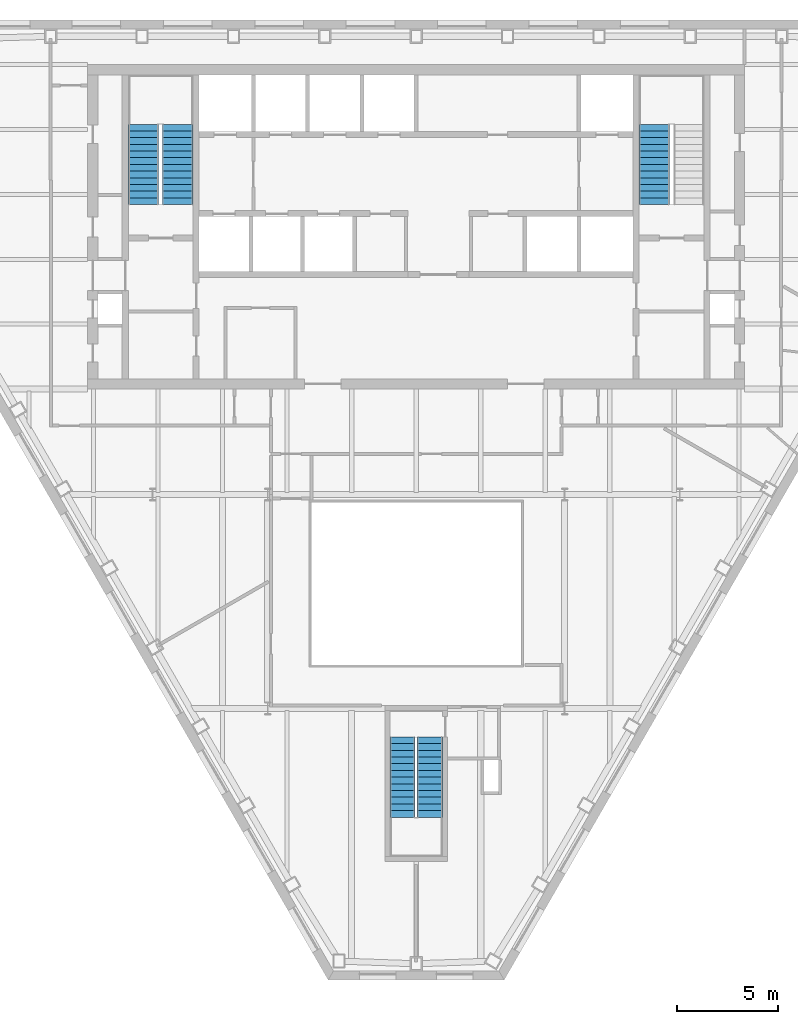
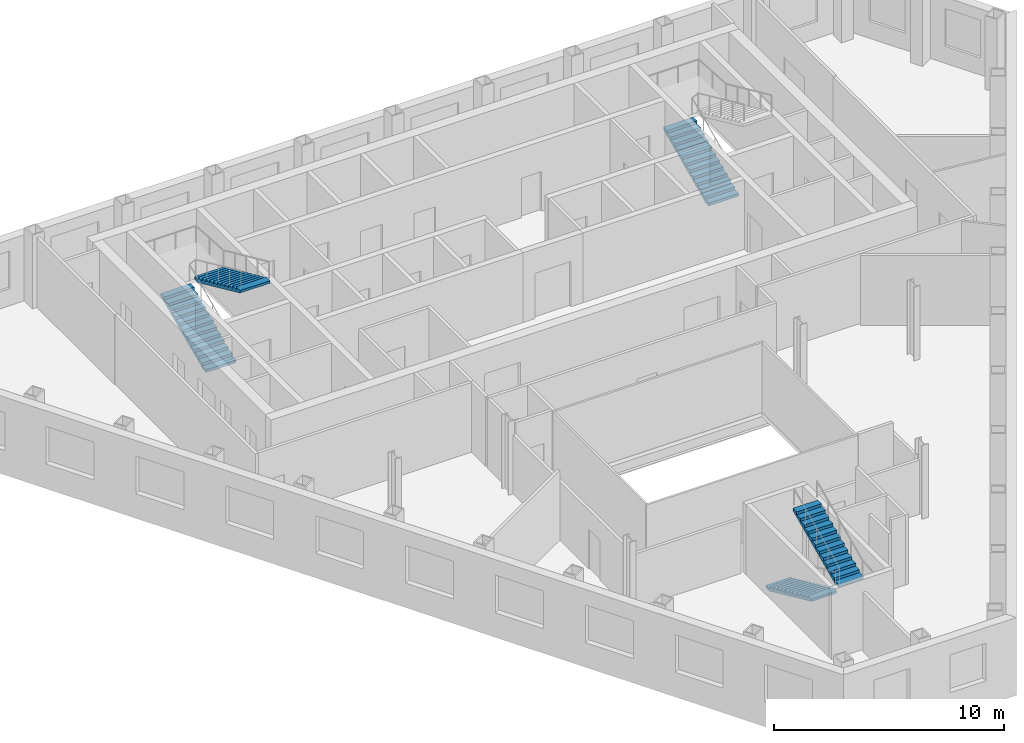
# One storey, part 8 of 10: 5 stair flights, 3 elements without a shape of their own.
"""IFC4 building model written with IfcOpenShell, lengths in metres."""

import ifcopenshell
import ifcopenshell.guid

model = None  # the IFC model being written
_history = None  # IfcOwnerHistory: only IFC2X3 demands one
_inside = {}  # id of a spatial element -> (the spatial element, [elements in it])
_under = {}  # id of a project, library or spatial element -> (it, [spatial elements below it])
_declared = {}  # id of a project -> (the project, [libraries it declares])
_typed = {}  # id of a type object -> (the type object, [elements of that type])
_made_of = {}  # id of a material, layer set ... -> (it, [elements and type objects made of it])


def new_model(schema):
    """Start an empty IFC model of exactly this schema.

    Asked for "IFC4X3", IfcOpenShell would pick the latest addendum, in which some entities
    have other attributes; the version numbers below select the first issue.
    IFC2X3 requires an IfcOwnerHistory on every rooted entity: one is made here for all.
    """
    global model, _history
    if schema == "IFC4X3":
        model = ifcopenshell.file(schema_version=(4, 3, 0, 0))
    else:
        model = ifcopenshell.file(schema=schema)
    _inside.clear()
    _under.clear()
    _declared.clear()
    _typed.clear()
    _made_of.clear()
    _history = None
    if model.schema == "IFC2X3":
        org = make("IfcOrganization", Name="unknown")
        user = make(
            "IfcPersonAndOrganization",
            ThePerson=make("IfcPerson", FamilyName="unknown"),
            TheOrganization=org,
        )
        app = make(
            "IfcApplication",
            ApplicationDeveloper=org,
            Version="unknown",
            ApplicationFullName="unknown",
            ApplicationIdentifier="unknown",
        )
        _history = make(
            "IfcOwnerHistory",
            OwningUser=user,
            OwningApplication=app,
            ChangeAction="ADDED",
            CreationDate=0,
        )
    return model


def make(cls, **values):
    """One entity of the class cls with the attributes given. An attribute that is None is left unset."""
    return model.create_entity(
        cls, **{name: value for name, value in values.items() if value is not None}
    )


def rooted(cls, **values):
    """An entity with a GlobalId (a new one), such as an element, a storey or a relation."""
    return make(cls, GlobalId=ifcopenshell.guid.new(), OwnerHistory=_history, **values)


def si_unit(unit_type, name, prefix=None):
    """IfcSIUnit, for example si_unit("LENGTHUNIT", "METRE", prefix="MILLI")."""
    return make("IfcSIUnit", UnitType=unit_type, Prefix=prefix, Name=name)


def assignment(units):
    """IfcUnitAssignment: the units of a project."""
    return None if units is None else make("IfcUnitAssignment", Units=units)


def point(xyz):
    """IfcCartesianPoint."""
    return None if xyz is None else make("IfcCartesianPoint", Coordinates=xyz)


def direction(xyz):
    """IfcDirection."""
    return None if xyz is None else make("IfcDirection", DirectionRatios=xyz)


def frame(location, z_axis=None, x_axis=None):
    """IfcAxis2Placement3D, a coordinate frame: its origin and axes. An axis left out is left unset."""
    return make(
        "IfcAxis2Placement3D",
        Location=point(location),
        Axis=direction(z_axis),
        RefDirection=direction(x_axis),
    )


def origin():
    """The frame at (0, 0, 0) with its axes left unset."""
    return frame((0.0, 0.0, 0.0))


def place(relative_to, where):
    """IfcLocalPlacement: puts the frame where relative to a parent placement (None: the world)."""
    return make(
        "IfcLocalPlacement", PlacementRelTo=relative_to, RelativePlacement=where
    )


def context(
    kind, dimensions, precision=None, world=None, true_north=None, identifier=None
):
    """IfcGeometricRepresentationContext, for example the 3D "Model" context."""
    return make(
        "IfcGeometricRepresentationContext",
        ContextIdentifier=identifier,
        ContextType=kind,
        CoordinateSpaceDimension=dimensions,
        Precision=precision,
        WorldCoordinateSystem=world,
        TrueNorth=true_north,
    )


def subcontext(parent, identifier, kind, view, scale=None):
    """IfcGeometricRepresentationSubContext, for example "Body" below "Model"."""
    return make(
        "IfcGeometricRepresentationSubContext",
        ContextIdentifier=identifier,
        ContextType=kind,
        ParentContext=parent,
        TargetScale=scale,
        TargetView=view,
    )


def project(units=None, contexts=None):
    """IfcProject with its units and contexts."""
    return rooted(
        "IfcProject",
        Name="project",
        RepresentationContexts=contexts,
        UnitsInContext=assignment(units),
    )


def spatial(cls, under=None, at=None, **own):
    """A site, building, storey or space (cls), placed at a placement, below another one or the project."""
    s = rooted(cls, ObjectPlacement=at, **own)
    if under is not None:
        _under.setdefault(under.id(), (under, []))[1].append(s)
    return s


def point_list(points):
    """IfcCartesianPointList2D or 3D."""
    cls = (
        "IfcCartesianPointList2D" if len(points[0]) == 2 else "IfcCartesianPointList3D"
    )
    return make(cls, CoordList=points)


def polygons(points, faces, closed=None, point_numbers=None):
    """IfcPolygonalFaceSet: a face is its outer loop, then its inner loops; points numbered from 1."""
    made = []
    for loops in faces:
        if len(loops) == 1:
            made.append(make("IfcIndexedPolygonalFace", CoordIndex=loops[0]))
        else:
            made.append(
                make(
                    "IfcIndexedPolygonalFaceWithVoids",
                    CoordIndex=loops[0],
                    InnerCoordIndices=loops[1:],
                )
            )
    return make(
        "IfcPolygonalFaceSet",
        Coordinates=point_list(points),
        Closed=closed,
        Faces=made,
        PnIndex=point_numbers,
    )


def shape(context_of_items, identifier, shape_type, items):
    """IfcShapeRepresentation: the items that make up one representation, for example the "Body"."""
    return make(
        "IfcShapeRepresentation",
        ContextOfItems=context_of_items,
        RepresentationIdentifier=identifier,
        RepresentationType=shape_type,
        Items=items,
    )


def material(Name=None, Category=None):
    """IfcMaterial."""
    return make("IfcMaterial", Name=Name, Category=Category)


def made_of(thing, what):
    """Note that an element or type object is made of a material, layer set ...; save() writes the relation."""
    if what is not None:
        _made_of.setdefault(what.id(), (what, []))[1].append(thing)
    return thing


def type_object(cls, material=None, **own):
    """A type object (cls), such as IfcWallType, which elements share."""
    return made_of(rooted(cls, **own), material)


def element(
    cls,
    number,
    at=None,
    inside=None,
    cuts=None,
    type_object=None,
    material=None,
    context=None,
    identifier="Body",
    shape_type=None,
    held_by="IfcProductDefinitionShape",
    body=None,
    shapes=None,
    **own,
):
    """One element of the class cls, such as IfcWall. Its Tag is "e" and its number.

    at: its placement. inside: the storey or other place that contains it. cuts: it is an
    opening in that element (IfcRelVoidsElement). A single representation is given by context,
    identifier, shape_type and body (its items); several are given by shapes. held_by: the class
    of the entity that holds the representations. save() writes the other relations.
    """
    e = rooted(cls, Tag="e%d" % number, ObjectPlacement=at, **own)
    if body is not None:
        shapes = [shape(context, identifier, shape_type, body)]
    if shapes is not None:
        e.Representation = make(held_by, Representations=shapes)
    if inside is not None:
        _inside.setdefault(inside.id(), (inside, []))[1].append(e)
    if cuts is not None:
        rooted(
            "IfcRelVoidsElement", RelatingBuildingElement=cuts, RelatedOpeningElement=e
        )
    if type_object is not None:
        _typed.setdefault(type_object.id(), (type_object, []))[1].append(e)
    return made_of(e, material)


def aggregate(whole, parts):
    """IfcRelAggregates: a whole, such as a stair, and the parts it consists of."""
    return rooted("IfcRelAggregates", RelatingObject=whole, RelatedObjects=parts)


def save(model, path):
    """Write the relations noted so far, then the file.

    IfcRelAggregates (storeys below a building ...), IfcRelContainedInSpatialStructure (elements
    in a storey), IfcRelDefinesByType, IfcRelAssociatesMaterial and IfcRelDeclares: one each for
    every whole, place, type object, material and project.
    """
    for whole, parts in _under.values():
        aggregate(whole, parts)
    for where, things in _inside.values():
        rooted(
            "IfcRelContainedInSpatialStructure",
            RelatedElements=things,
            RelatingStructure=where,
        )
    for kind, things in _typed.values():
        rooted("IfcRelDefinesByType", RelatedObjects=things, RelatingType=kind)
    for what, things in _made_of.values():
        rooted("IfcRelAssociatesMaterial", RelatedObjects=things, RelatingMaterial=what)
    for by, libraries in _declared.values():
        rooted("IfcRelDeclares", RelatingContext=by, RelatedDefinitions=libraries)
    model.write(path)


model = new_model("IFC4")

# Units and contexts
model_context = context("Model", 3, precision=1e-05, world=origin(), true_north=direction((0.0, 1.0)))
body_context = subcontext(model_context, "Body", "Model", "MODEL_VIEW")
ifc_project = project(units=[si_unit("LENGTHUNIT", "METRE"), si_unit("AREAUNIT", "SQUARE_METRE"), si_unit("VOLUMEUNIT", "CUBIC_METRE"), si_unit("PLANEANGLEUNIT", "RADIAN"), si_unit("MASSUNIT", "GRAM", prefix="KILO")], contexts=[model_context])

# Site, building, storey
site_placement = place(None, origin())
site = spatial("IfcSite", under=ifc_project, at=site_placement, CompositionType="ELEMENT")
building_placement = place(site_placement, origin())
building = spatial("IfcBuilding", under=site, at=building_placement, Name="Njiva Tower", CompositionType="ELEMENT")
storey_placement = place(building_placement, frame((0.0, 0.0, 159.3)))
storey = spatial("IfcBuildingStorey", under=building, at=storey_placement, Name="L34", CompositionType="ELEMENT", Elevation=159.3)

# Stair, stair flights
ifc_material = material(Name="Concrete C40/50", Category="concrete")
stair_type_1 = type_object("IfcStairType", Name="ST1 Exit stair 1250", PredefinedType="HALF_TURN_STAIR", material=ifc_material)
stair_1_placement = place(storey_placement, origin())
stair_1 = element("IfcStair", 1, at=stair_1_placement, inside=storey, type_object=stair_type_1, Name="Stair C", PredefinedType="HALF_TURN_STAIR")
stair_flight_type_1 = type_object("IfcStairFlightType", Name="FL1 Stair flight 1250", PredefinedType="STRAIGHT", material=ifc_material)
stair_flight_1_placement = place(storey_placement, frame((-0.675, -15.16, 0.0), z_axis=(0.0, 0.0, 1.0), x_axis=(0.0, -1.0, 0.0)))
stair_flight_1 = element("IfcStairFlight", 2, at=stair_flight_1_placement, type_object=stair_flight_type_1, Name="ST-C flight 1", NumberOfRisers=13, NumberOfTreads=12, PredefinedType="STRAIGHT", RiserHeight=0.15, TreadLength=0.33, context=body_context, shape_type="Tessellation", body=[
    polygons([(0.0, 0.625, 0.0), (0.0, 0.3125, 0.0), (0.0, 0.0, 0.0), (0.0, -0.3125, 0.0), (0.0, -0.625, 0.0), (0.0, 0.625, 0.15), (0.0, 0.3125, 0.15), (0.0, 0.0, 0.15), (0.0, -0.3125, 0.15), (0.0, -0.625, 0.15), (0.33, 0.625, 0.15), (0.33, 0.3125, 0.15), (0.33, 0.0, 0.15), (0.33, -0.3125, 0.15), (0.33, -0.625, 0.15), (0.33, 0.625, 0.3), (0.33, 0.3125, 0.3), (0.33, 0.0, 0.3), (0.33, -0.3125, 0.3), (0.33, -0.625, 0.3), (0.66, 0.625, 0.3), (0.66, 0.3125, 0.3), (0.66, 0.0, 0.3), (0.66, -0.3125, 0.3), (0.66, -0.625, 0.3), (0.66, 0.625, 0.45), (0.66, 0.3125, 0.45), (0.66, 0.0, 0.45), (0.66, -0.3125, 0.45), (0.66, -0.625, 0.45), (0.99, 0.625, 0.45), (0.99, 0.3125, 0.45), (0.99, 0.0, 0.45), (0.99, -0.3125, 0.45), (0.99, -0.625, 0.45), (0.99, 0.625, 0.6), (0.99, 0.3125, 0.6), (0.99, 0.0, 0.6), (0.99, -0.3125, 0.6), (0.99, -0.625, 0.6), (1.32, 0.625, 0.6), (1.32, 0.3125, 0.6), (1.32, 0.0, 0.6), (1.32, -0.3125, 0.6), (1.32, -0.625, 0.6), (1.32, 0.625, 0.75), (1.32, 0.3125, 0.75), (1.32, 0.0, 0.75), (1.32, -0.3125, 0.75), (1.32, -0.625, 0.75), (1.65, 0.625, 0.75), (1.65, 0.3125, 0.75), (1.65, 0.0, 0.75), (1.65, -0.3125, 0.75), (1.65, -0.625, 0.75), (1.65, 0.625, 0.9), (1.65, 0.3125, 0.9), (1.65, 0.0, 0.9), (1.65, -0.3125, 0.9), (1.65, -0.625, 0.9), (1.98, 0.625, 0.9), (1.98, 0.3125, 0.9), (1.98, 0.0, 0.9), (1.98, -0.3125, 0.9), (1.98, -0.625, 0.9), (1.98, 0.625, 1.05), (1.98, 0.3125, 1.05), (1.98, 0.0, 1.05), (1.98, -0.3125, 1.05), (1.98, -0.625, 1.05), (2.31, 0.625, 1.05), (2.31, 0.3125, 1.05), (2.31, 0.0, 1.05), (2.31, -0.3125, 1.05), (2.31, -0.625, 1.05), (2.31, 0.625, 1.2), (2.31, 0.3125, 1.2), (2.31, 0.0, 1.2), (2.31, -0.3125, 1.2), (2.31, -0.625, 1.2), (2.64, 0.625, 1.2), (2.64, 0.3125, 1.2), (2.64, 0.0, 1.2), (2.64, -0.3125, 1.2), (2.64, -0.625, 1.2), (2.64, 0.625, 1.35), (2.64, 0.3125, 1.35), (2.64, 0.0, 1.35), (2.64, -0.3125, 1.35), (2.64, -0.625, 1.35), (2.97, 0.625, 1.35), (2.97, 0.3125, 1.35), (2.97, 0.0, 1.35), (2.97, -0.3125, 1.35), (2.97, -0.625, 1.35), (2.97, 0.625, 1.5), (2.97, 0.3125, 1.5), (2.97, 0.0, 1.5), (2.97, -0.3125, 1.5), (2.97, -0.625, 1.5), (3.3, 0.625, 1.5), (3.3, 0.3125, 1.5), (3.3, 0.0, 1.5), (3.3, -0.3125, 1.5), (3.3, -0.625, 1.5), (3.3, 0.625, 1.65), (3.3, 0.3125, 1.65), (3.3, 0.0, 1.65), (3.3, -0.3125, 1.65), (3.3, -0.625, 1.65), (3.63, 0.625, 1.65), (3.63, 0.3125, 1.65), (3.63, 0.0, 1.65), (3.63, -0.3125, 1.65), (3.63, -0.625, 1.65), (3.63, 0.625, 1.8), (3.63, 0.3125, 1.8), (3.63, 0.0, 1.8), (3.63, -0.3125, 1.8), (3.63, -0.625, 1.8), (3.96, 0.625, 1.8), (3.96, 0.3125, 1.8), (3.96, 0.0, 1.8), (3.96, -0.3125, 1.8), (3.96, -0.625, 1.8), (3.96, 0.625, 1.6682), (3.96, 0.3125, 1.6682), (3.96, 0.0, 1.6682), (3.96, -0.3125, 1.6682), (3.96, -0.625, 1.6682), (0.29, 0.625, 0.0), (0.29, 0.3125, 0.0), (0.29, 0.0, 0.0), (0.29, -0.3125, 0.0), (0.29, -0.625, 0.0)], [[[1, 6, 11, 16, 21, 26, 31, 36, 41, 46, 51, 56, 61, 66, 71, 76, 81, 86, 91, 96, 101, 106, 111, 116, 121, 126, 131]], [[135, 130, 125, 120, 115, 110, 105, 100, 95, 90, 85, 80, 75, 70, 65, 60, 55, 50, 45, 40, 35, 30, 25, 20, 15, 10, 5]], [[6, 1, 2, 7]], [[7, 2, 3, 8]], [[8, 3, 4, 9]], [[9, 4, 5, 10]], [[11, 6, 7, 12]], [[12, 7, 8, 13]], [[13, 8, 9, 14]], [[14, 9, 10, 15]], [[16, 11, 12, 17]], [[17, 12, 13, 18]], [[18, 13, 14, 19]], [[19, 14, 15, 20]], [[21, 16, 17, 22]], [[22, 17, 18, 23]], [[23, 18, 19, 24]], [[24, 19, 20, 25]], [[26, 21, 22, 27]], [[27, 22, 23, 28]], [[28, 23, 24, 29]], [[29, 24, 25, 30]], [[31, 26, 27, 32]], [[32, 27, 28, 33]], [[33, 28, 29, 34]], [[34, 29, 30, 35]], [[36, 31, 32, 37]], [[37, 32, 33, 38]], [[38, 33, 34, 39]], [[39, 34, 35, 40]], [[41, 36, 37, 42]], [[42, 37, 38, 43]], [[43, 38, 39, 44]], [[44, 39, 40, 45]], [[46, 41, 42, 47]], [[47, 42, 43, 48]], [[48, 43, 44, 49]], [[49, 44, 45, 50]], [[51, 46, 47, 52]], [[52, 47, 48, 53]], [[53, 48, 49, 54]], [[54, 49, 50, 55]], [[56, 51, 52, 57]], [[57, 52, 53, 58]], [[58, 53, 54, 59]], [[59, 54, 55, 60]], [[61, 56, 57, 62]], [[62, 57, 58, 63]], [[63, 58, 59, 64]], [[64, 59, 60, 65]], [[66, 61, 62, 67]], [[67, 62, 63, 68]], [[68, 63, 64, 69]], [[69, 64, 65, 70]], [[71, 66, 67, 72]], [[72, 67, 68, 73]], [[73, 68, 69, 74]], [[74, 69, 70, 75]], [[76, 71, 72, 77]], [[77, 72, 73, 78]], [[78, 73, 74, 79]], [[79, 74, 75, 80]], [[81, 76, 77, 82]], [[82, 77, 78, 83]], [[83, 78, 79, 84]], [[84, 79, 80, 85]], [[86, 81, 82, 87]], [[87, 82, 83, 88]], [[88, 83, 84, 89]], [[89, 84, 85, 90]], [[91, 86, 87, 92]], [[92, 87, 88, 93]], [[93, 88, 89, 94]], [[94, 89, 90, 95]], [[96, 91, 92, 97]], [[97, 92, 93, 98]], [[98, 93, 94, 99]], [[99, 94, 95, 100]], [[101, 96, 97, 102]], [[102, 97, 98, 103]], [[103, 98, 99, 104]], [[104, 99, 100, 105]], [[106, 101, 102, 107]], [[107, 102, 103, 108]], [[108, 103, 104, 109]], [[109, 104, 105, 110]], [[111, 106, 107, 112]], [[112, 107, 108, 113]], [[113, 108, 109, 114]], [[114, 109, 110, 115]], [[116, 111, 112, 117]], [[117, 112, 113, 118]], [[118, 113, 114, 119]], [[119, 114, 115, 120]], [[121, 116, 117, 122]], [[122, 117, 118, 123]], [[123, 118, 119, 124]], [[124, 119, 120, 125]], [[126, 121, 122, 127]], [[127, 122, 123, 128]], [[128, 123, 124, 129]], [[129, 124, 125, 130]], [[131, 126, 127, 132]], [[132, 127, 128, 133]], [[133, 128, 129, 134]], [[134, 129, 130, 135]], [[1, 131, 132, 2]], [[2, 132, 133, 3]], [[3, 133, 134, 4]], [[4, 134, 135, 5]]], closed=True),
])
stair_flight_2_placement = place(storey_placement, frame((0.675, -19.12, 1.95), z_axis=(0.0, 0.0, 1.0), x_axis=(0.0, 1.0, 0.0)))
stair_flight_2 = element("IfcStairFlight", 3, at=stair_flight_2_placement, type_object=stair_flight_type_1, Name="ST-C flight 2", NumberOfRisers=13, NumberOfTreads=12, PredefinedType="STRAIGHT", RiserHeight=0.15, TreadLength=0.33, context=body_context, shape_type="Tessellation", body=[
    polygons([(0.0, 0.625, 0.0), (0.0, 0.3125, 0.0), (0.0, 0.0, 0.0), (0.0, -0.3125, 0.0), (0.0, -0.625, 0.0), (0.0, 0.625, 0.15), (0.0, 0.3125, 0.15), (0.0, 0.0, 0.15), (0.0, -0.3125, 0.15), (0.0, -0.625, 0.15), (0.33, 0.625, 0.15), (0.33, 0.3125, 0.15), (0.33, 0.0, 0.15), (0.33, -0.3125, 0.15), (0.33, -0.625, 0.15), (0.33, 0.625, 0.3), (0.33, 0.3125, 0.3), (0.33, 0.0, 0.3), (0.33, -0.3125, 0.3), (0.33, -0.625, 0.3), (0.66, 0.625, 0.3), (0.66, 0.3125, 0.3), (0.66, 0.0, 0.3), (0.66, -0.3125, 0.3), (0.66, -0.625, 0.3), (0.66, 0.625, 0.45), (0.66, 0.3125, 0.45), (0.66, 0.0, 0.45), (0.66, -0.3125, 0.45), (0.66, -0.625, 0.45), (0.99, 0.625, 0.45), (0.99, 0.3125, 0.45), (0.99, 0.0, 0.45), (0.99, -0.3125, 0.45), (0.99, -0.625, 0.45), (0.99, 0.625, 0.6), (0.99, 0.3125, 0.6), (0.99, 0.0, 0.6), (0.99, -0.3125, 0.6), (0.99, -0.625, 0.6), (1.32, 0.625, 0.6), (1.32, 0.3125, 0.6), (1.32, 0.0, 0.6), (1.32, -0.3125, 0.6), (1.32, -0.625, 0.6), (1.32, 0.625, 0.75), (1.32, 0.3125, 0.75), (1.32, 0.0, 0.75), (1.32, -0.3125, 0.75), (1.32, -0.625, 0.75), (1.65, 0.625, 0.75), (1.65, 0.3125, 0.75), (1.65, 0.0, 0.75), (1.65, -0.3125, 0.75), (1.65, -0.625, 0.75), (1.65, 0.625, 0.9), (1.65, 0.3125, 0.9), (1.65, 0.0, 0.9), (1.65, -0.3125, 0.9), (1.65, -0.625, 0.9), (1.98, 0.625, 0.9), (1.98, 0.3125, 0.9), (1.98, 0.0, 0.9), (1.98, -0.3125, 0.9), (1.98, -0.625, 0.9), (1.98, 0.625, 1.05), (1.98, 0.3125, 1.05), (1.98, 0.0, 1.05), (1.98, -0.3125, 1.05), (1.98, -0.625, 1.05), (2.31, 0.625, 1.05), (2.31, 0.3125, 1.05), (2.31, 0.0, 1.05), (2.31, -0.3125, 1.05), (2.31, -0.625, 1.05), (2.31, 0.625, 1.2), (2.31, 0.3125, 1.2), (2.31, 0.0, 1.2), (2.31, -0.3125, 1.2), (2.31, -0.625, 1.2), (2.64, 0.625, 1.2), (2.64, 0.3125, 1.2), (2.64, 0.0, 1.2), (2.64, -0.3125, 1.2), (2.64, -0.625, 1.2), (2.64, 0.625, 1.35), (2.64, 0.3125, 1.35), (2.64, 0.0, 1.35), (2.64, -0.3125, 1.35), (2.64, -0.625, 1.35), (2.97, 0.625, 1.35), (2.97, 0.3125, 1.35), (2.97, 0.0, 1.35), (2.97, -0.3125, 1.35), (2.97, -0.625, 1.35), (2.97, 0.625, 1.5), (2.97, 0.3125, 1.5), (2.97, 0.0, 1.5), (2.97, -0.3125, 1.5), (2.97, -0.625, 1.5), (3.3, 0.625, 1.5), (3.3, 0.3125, 1.5), (3.3, 0.0, 1.5), (3.3, -0.3125, 1.5), (3.3, -0.625, 1.5), (3.3, 0.625, 1.65), (3.3, 0.3125, 1.65), (3.3, 0.0, 1.65), (3.3, -0.3125, 1.65), (3.3, -0.625, 1.65), (3.63, 0.625, 1.65), (3.63, 0.3125, 1.65), (3.63, 0.0, 1.65), (3.63, -0.3125, 1.65), (3.63, -0.625, 1.65), (3.63, 0.625, 1.8), (3.63, 0.3125, 1.8), (3.63, 0.0, 1.8), (3.63, -0.3125, 1.8), (3.63, -0.625, 1.8), (3.96, 0.625, 1.8), (3.96, 0.3125, 1.8), (3.96, 0.0, 1.8), (3.96, -0.3125, 1.8), (3.96, -0.625, 1.8), (3.96, 0.625, 1.6682), (3.96, 0.3125, 1.6682), (3.96, 0.0, 1.6682), (3.96, -0.3125, 1.6682), (3.96, -0.625, 1.6682), (0.29, 0.625, 0.0), (0.29, 0.3125, 0.0), (0.29, 0.0, 0.0), (0.29, -0.3125, 0.0), (0.29, -0.625, 0.0)], [[[1, 6, 11, 16, 21, 26, 31, 36, 41, 46, 51, 56, 61, 66, 71, 76, 81, 86, 91, 96, 101, 106, 111, 116, 121, 126, 131]], [[135, 130, 125, 120, 115, 110, 105, 100, 95, 90, 85, 80, 75, 70, 65, 60, 55, 50, 45, 40, 35, 30, 25, 20, 15, 10, 5]], [[6, 1, 2, 7]], [[7, 2, 3, 8]], [[8, 3, 4, 9]], [[9, 4, 5, 10]], [[11, 6, 7, 12]], [[12, 7, 8, 13]], [[13, 8, 9, 14]], [[14, 9, 10, 15]], [[16, 11, 12, 17]], [[17, 12, 13, 18]], [[18, 13, 14, 19]], [[19, 14, 15, 20]], [[21, 16, 17, 22]], [[22, 17, 18, 23]], [[23, 18, 19, 24]], [[24, 19, 20, 25]], [[26, 21, 22, 27]], [[27, 22, 23, 28]], [[28, 23, 24, 29]], [[29, 24, 25, 30]], [[31, 26, 27, 32]], [[32, 27, 28, 33]], [[33, 28, 29, 34]], [[34, 29, 30, 35]], [[36, 31, 32, 37]], [[37, 32, 33, 38]], [[38, 33, 34, 39]], [[39, 34, 35, 40]], [[41, 36, 37, 42]], [[42, 37, 38, 43]], [[43, 38, 39, 44]], [[44, 39, 40, 45]], [[46, 41, 42, 47]], [[47, 42, 43, 48]], [[48, 43, 44, 49]], [[49, 44, 45, 50]], [[51, 46, 47, 52]], [[52, 47, 48, 53]], [[53, 48, 49, 54]], [[54, 49, 50, 55]], [[56, 51, 52, 57]], [[57, 52, 53, 58]], [[58, 53, 54, 59]], [[59, 54, 55, 60]], [[61, 56, 57, 62]], [[62, 57, 58, 63]], [[63, 58, 59, 64]], [[64, 59, 60, 65]], [[66, 61, 62, 67]], [[67, 62, 63, 68]], [[68, 63, 64, 69]], [[69, 64, 65, 70]], [[71, 66, 67, 72]], [[72, 67, 68, 73]], [[73, 68, 69, 74]], [[74, 69, 70, 75]], [[76, 71, 72, 77]], [[77, 72, 73, 78]], [[78, 73, 74, 79]], [[79, 74, 75, 80]], [[81, 76, 77, 82]], [[82, 77, 78, 83]], [[83, 78, 79, 84]], [[84, 79, 80, 85]], [[86, 81, 82, 87]], [[87, 82, 83, 88]], [[88, 83, 84, 89]], [[89, 84, 85, 90]], [[91, 86, 87, 92]], [[92, 87, 88, 93]], [[93, 88, 89, 94]], [[94, 89, 90, 95]], [[96, 91, 92, 97]], [[97, 92, 93, 98]], [[98, 93, 94, 99]], [[99, 94, 95, 100]], [[101, 96, 97, 102]], [[102, 97, 98, 103]], [[103, 98, 99, 104]], [[104, 99, 100, 105]], [[106, 101, 102, 107]], [[107, 102, 103, 108]], [[108, 103, 104, 109]], [[109, 104, 105, 110]], [[111, 106, 107, 112]], [[112, 107, 108, 113]], [[113, 108, 109, 114]], [[114, 109, 110, 115]], [[116, 111, 112, 117]], [[117, 112, 113, 118]], [[118, 113, 114, 119]], [[119, 114, 115, 120]], [[121, 116, 117, 122]], [[122, 117, 118, 123]], [[123, 118, 119, 124]], [[124, 119, 120, 125]], [[126, 121, 122, 127]], [[127, 122, 123, 128]], [[128, 123, 124, 129]], [[129, 124, 125, 130]], [[131, 126, 127, 132]], [[132, 127, 128, 133]], [[133, 128, 129, 134]], [[134, 129, 130, 135]], [[1, 131, 132, 2]], [[2, 132, 133, 3]], [[3, 133, 134, 4]], [[4, 134, 135, 5]]], closed=True),
])
aggregate(stair_1, [stair_flight_1, stair_flight_2])

stair_type_2 = type_object("IfcStairType", Name="ST4 Exit stair 1500", PredefinedType="HALF_TURN_STAIR", material=ifc_material)
stair_2_placement = place(storey_placement, origin())
stair_2 = element("IfcStair", 4, at=stair_2_placement, inside=storey, type_object=stair_type_2, Name="Stair A", PredefinedType="HALF_TURN_STAIR")
stair_flight_type_2 = type_object("IfcStairFlightType", Name="FL4 Stair flight 1500", PredefinedType="STRAIGHT", material=ifc_material)
stair_flight_3_placement = place(storey_placement, frame((-13.45, 11.1, 0.0), z_axis=(0.0, 0.0, 1.0), x_axis=(0.0, 1.0, 0.0)))
stair_flight_3 = element("IfcStairFlight", 5, at=stair_flight_3_placement, type_object=stair_flight_type_2, Name="ST-A flight 1", NumberOfRisers=13, NumberOfTreads=12, PredefinedType="STRAIGHT", RiserHeight=0.15, TreadLength=0.33, context=body_context, shape_type="Tessellation", body=[
    polygons([(0.0, 0.75, 0.0), (0.0, 0.375, 0.0), (0.0, 0.0, 0.0), (0.0, -0.375, 0.0), (0.0, -0.75, 0.0), (0.0, 0.75, 0.15), (0.0, 0.375, 0.15), (0.0, 0.0, 0.15), (0.0, -0.375, 0.15), (0.0, -0.75, 0.15), (0.33, 0.75, 0.15), (0.33, 0.375, 0.15), (0.33, 0.0, 0.15), (0.33, -0.375, 0.15), (0.33, -0.75, 0.15), (0.33, 0.75, 0.3), (0.33, 0.375, 0.3), (0.33, 0.0, 0.3), (0.33, -0.375, 0.3), (0.33, -0.75, 0.3), (0.66, 0.75, 0.3), (0.66, 0.375, 0.3), (0.66, 0.0, 0.3), (0.66, -0.375, 0.3), (0.66, -0.75, 0.3), (0.66, 0.75, 0.45), (0.66, 0.375, 0.45), (0.66, 0.0, 0.45), (0.66, -0.375, 0.45), (0.66, -0.75, 0.45), (0.99, 0.75, 0.45), (0.99, 0.375, 0.45), (0.99, 0.0, 0.45), (0.99, -0.375, 0.45), (0.99, -0.75, 0.45), (0.99, 0.75, 0.6), (0.99, 0.375, 0.6), (0.99, 0.0, 0.6), (0.99, -0.375, 0.6), (0.99, -0.75, 0.6), (1.32, 0.75, 0.6), (1.32, 0.375, 0.6), (1.32, 0.0, 0.6), (1.32, -0.375, 0.6), (1.32, -0.75, 0.6), (1.32, 0.75, 0.75), (1.32, 0.375, 0.75), (1.32, 0.0, 0.75), (1.32, -0.375, 0.75), (1.32, -0.75, 0.75), (1.65, 0.75, 0.75), (1.65, 0.375, 0.75), (1.65, 0.0, 0.75), (1.65, -0.375, 0.75), (1.65, -0.75, 0.75), (1.65, 0.75, 0.9), (1.65, 0.375, 0.9), (1.65, 0.0, 0.9), (1.65, -0.375, 0.9), (1.65, -0.75, 0.9), (1.98, 0.75, 0.9), (1.98, 0.375, 0.9), (1.98, 0.0, 0.9), (1.98, -0.375, 0.9), (1.98, -0.75, 0.9), (1.98, 0.75, 1.05), (1.98, 0.375, 1.05), (1.98, 0.0, 1.05), (1.98, -0.375, 1.05), (1.98, -0.75, 1.05), (2.31, 0.75, 1.05), (2.31, 0.375, 1.05), (2.31, 0.0, 1.05), (2.31, -0.375, 1.05), (2.31, -0.75, 1.05), (2.31, 0.75, 1.2), (2.31, 0.375, 1.2), (2.31, 0.0, 1.2), (2.31, -0.375, 1.2), (2.31, -0.75, 1.2), (2.64, 0.75, 1.2), (2.64, 0.375, 1.2), (2.64, 0.0, 1.2), (2.64, -0.375, 1.2), (2.64, -0.75, 1.2), (2.64, 0.75, 1.35), (2.64, 0.375, 1.35), (2.64, 0.0, 1.35), (2.64, -0.375, 1.35), (2.64, -0.75, 1.35), (2.97, 0.75, 1.35), (2.97, 0.375, 1.35), (2.97, 0.0, 1.35), (2.97, -0.375, 1.35), (2.97, -0.75, 1.35), (2.97, 0.75, 1.5), (2.97, 0.375, 1.5), (2.97, 0.0, 1.5), (2.97, -0.375, 1.5), (2.97, -0.75, 1.5), (3.3, 0.75, 1.5), (3.3, 0.375, 1.5), (3.3, 0.0, 1.5), (3.3, -0.375, 1.5), (3.3, -0.75, 1.5), (3.3, 0.75, 1.65), (3.3, 0.375, 1.65), (3.3, 0.0, 1.65), (3.3, -0.375, 1.65), (3.3, -0.75, 1.65), (3.63, 0.75, 1.65), (3.63, 0.375, 1.65), (3.63, 0.0, 1.65), (3.63, -0.375, 1.65), (3.63, -0.75, 1.65), (3.63, 0.75, 1.8), (3.63, 0.375, 1.8), (3.63, 0.0, 1.8), (3.63, -0.375, 1.8), (3.63, -0.75, 1.8), (3.96, 0.75, 1.8), (3.96, 0.375, 1.8), (3.96, 0.0, 1.8), (3.96, -0.375, 1.8), (3.96, -0.75, 1.8), (3.96, 0.75, 1.6682), (3.96, 0.375, 1.6682), (3.96, 0.0, 1.6682), (3.96, -0.375, 1.6682), (3.96, -0.75, 1.6682), (0.29, 0.75, 0.0), (0.29, 0.375, 0.0), (0.29, 0.0, 0.0), (0.29, -0.375, 0.0), (0.29, -0.75, 0.0)], [[[1, 6, 11, 16, 21, 26, 31, 36, 41, 46, 51, 56, 61, 66, 71, 76, 81, 86, 91, 96, 101, 106, 111, 116, 121, 126, 131]], [[135, 130, 125, 120, 115, 110, 105, 100, 95, 90, 85, 80, 75, 70, 65, 60, 55, 50, 45, 40, 35, 30, 25, 20, 15, 10, 5]], [[6, 1, 2, 7]], [[7, 2, 3, 8]], [[8, 3, 4, 9]], [[9, 4, 5, 10]], [[11, 6, 7, 12]], [[12, 7, 8, 13]], [[13, 8, 9, 14]], [[14, 9, 10, 15]], [[16, 11, 12, 17]], [[17, 12, 13, 18]], [[18, 13, 14, 19]], [[19, 14, 15, 20]], [[21, 16, 17, 22]], [[22, 17, 18, 23]], [[23, 18, 19, 24]], [[24, 19, 20, 25]], [[26, 21, 22, 27]], [[27, 22, 23, 28]], [[28, 23, 24, 29]], [[29, 24, 25, 30]], [[31, 26, 27, 32]], [[32, 27, 28, 33]], [[33, 28, 29, 34]], [[34, 29, 30, 35]], [[36, 31, 32, 37]], [[37, 32, 33, 38]], [[38, 33, 34, 39]], [[39, 34, 35, 40]], [[41, 36, 37, 42]], [[42, 37, 38, 43]], [[43, 38, 39, 44]], [[44, 39, 40, 45]], [[46, 41, 42, 47]], [[47, 42, 43, 48]], [[48, 43, 44, 49]], [[49, 44, 45, 50]], [[51, 46, 47, 52]], [[52, 47, 48, 53]], [[53, 48, 49, 54]], [[54, 49, 50, 55]], [[56, 51, 52, 57]], [[57, 52, 53, 58]], [[58, 53, 54, 59]], [[59, 54, 55, 60]], [[61, 56, 57, 62]], [[62, 57, 58, 63]], [[63, 58, 59, 64]], [[64, 59, 60, 65]], [[66, 61, 62, 67]], [[67, 62, 63, 68]], [[68, 63, 64, 69]], [[69, 64, 65, 70]], [[71, 66, 67, 72]], [[72, 67, 68, 73]], [[73, 68, 69, 74]], [[74, 69, 70, 75]], [[76, 71, 72, 77]], [[77, 72, 73, 78]], [[78, 73, 74, 79]], [[79, 74, 75, 80]], [[81, 76, 77, 82]], [[82, 77, 78, 83]], [[83, 78, 79, 84]], [[84, 79, 80, 85]], [[86, 81, 82, 87]], [[87, 82, 83, 88]], [[88, 83, 84, 89]], [[89, 84, 85, 90]], [[91, 86, 87, 92]], [[92, 87, 88, 93]], [[93, 88, 89, 94]], [[94, 89, 90, 95]], [[96, 91, 92, 97]], [[97, 92, 93, 98]], [[98, 93, 94, 99]], [[99, 94, 95, 100]], [[101, 96, 97, 102]], [[102, 97, 98, 103]], [[103, 98, 99, 104]], [[104, 99, 100, 105]], [[106, 101, 102, 107]], [[107, 102, 103, 108]], [[108, 103, 104, 109]], [[109, 104, 105, 110]], [[111, 106, 107, 112]], [[112, 107, 108, 113]], [[113, 108, 109, 114]], [[114, 109, 110, 115]], [[116, 111, 112, 117]], [[117, 112, 113, 118]], [[118, 113, 114, 119]], [[119, 114, 115, 120]], [[121, 116, 117, 122]], [[122, 117, 118, 123]], [[123, 118, 119, 124]], [[124, 119, 120, 125]], [[126, 121, 122, 127]], [[127, 122, 123, 128]], [[128, 123, 124, 129]], [[129, 124, 125, 130]], [[131, 126, 127, 132]], [[132, 127, 128, 133]], [[133, 128, 129, 134]], [[134, 129, 130, 135]], [[1, 131, 132, 2]], [[2, 132, 133, 3]], [[3, 133, 134, 4]], [[4, 134, 135, 5]]], closed=True),
])
stair_flight_4_placement = place(storey_placement, frame((-11.75, 15.06, 1.95), z_axis=(0.0, 0.0, 1.0), x_axis=(0.0, -1.0, 0.0)))
stair_flight_4 = element("IfcStairFlight", 6, at=stair_flight_4_placement, type_object=stair_flight_type_2, Name="ST-A flight 2", NumberOfRisers=13, NumberOfTreads=12, PredefinedType="STRAIGHT", RiserHeight=0.15, TreadLength=0.33, context=body_context, shape_type="Tessellation", body=[
    polygons([(0.0, 0.75, 0.0), (0.0, 0.375, 0.0), (0.0, 0.0, 0.0), (0.0, -0.375, 0.0), (0.0, -0.75, 0.0), (0.0, 0.75, 0.15), (0.0, 0.375, 0.15), (0.0, 0.0, 0.15), (0.0, -0.375, 0.15), (0.0, -0.75, 0.15), (0.33, 0.75, 0.15), (0.33, 0.375, 0.15), (0.33, 0.0, 0.15), (0.33, -0.375, 0.15), (0.33, -0.75, 0.15), (0.33, 0.75, 0.3), (0.33, 0.375, 0.3), (0.33, 0.0, 0.3), (0.33, -0.375, 0.3), (0.33, -0.75, 0.3), (0.66, 0.75, 0.3), (0.66, 0.375, 0.3), (0.66, 0.0, 0.3), (0.66, -0.375, 0.3), (0.66, -0.75, 0.3), (0.66, 0.75, 0.45), (0.66, 0.375, 0.45), (0.66, 0.0, 0.45), (0.66, -0.375, 0.45), (0.66, -0.75, 0.45), (0.99, 0.75, 0.45), (0.99, 0.375, 0.45), (0.99, 0.0, 0.45), (0.99, -0.375, 0.45), (0.99, -0.75, 0.45), (0.99, 0.75, 0.6), (0.99, 0.375, 0.6), (0.99, 0.0, 0.6), (0.99, -0.375, 0.6), (0.99, -0.75, 0.6), (1.32, 0.75, 0.6), (1.32, 0.375, 0.6), (1.32, 0.0, 0.6), (1.32, -0.375, 0.6), (1.32, -0.75, 0.6), (1.32, 0.75, 0.75), (1.32, 0.375, 0.75), (1.32, 0.0, 0.75), (1.32, -0.375, 0.75), (1.32, -0.75, 0.75), (1.65, 0.75, 0.75), (1.65, 0.375, 0.75), (1.65, 0.0, 0.75), (1.65, -0.375, 0.75), (1.65, -0.75, 0.75), (1.65, 0.75, 0.9), (1.65, 0.375, 0.9), (1.65, 0.0, 0.9), (1.65, -0.375, 0.9), (1.65, -0.75, 0.9), (1.98, 0.75, 0.9), (1.98, 0.375, 0.9), (1.98, 0.0, 0.9), (1.98, -0.375, 0.9), (1.98, -0.75, 0.9), (1.98, 0.75, 1.05), (1.98, 0.375, 1.05), (1.98, 0.0, 1.05), (1.98, -0.375, 1.05), (1.98, -0.75, 1.05), (2.31, 0.75, 1.05), (2.31, 0.375, 1.05), (2.31, 0.0, 1.05), (2.31, -0.375, 1.05), (2.31, -0.75, 1.05), (2.31, 0.75, 1.2), (2.31, 0.375, 1.2), (2.31, 0.0, 1.2), (2.31, -0.375, 1.2), (2.31, -0.75, 1.2), (2.64, 0.75, 1.2), (2.64, 0.375, 1.2), (2.64, 0.0, 1.2), (2.64, -0.375, 1.2), (2.64, -0.75, 1.2), (2.64, 0.75, 1.35), (2.64, 0.375, 1.35), (2.64, 0.0, 1.35), (2.64, -0.375, 1.35), (2.64, -0.75, 1.35), (2.97, 0.75, 1.35), (2.97, 0.375, 1.35), (2.97, 0.0, 1.35), (2.97, -0.375, 1.35), (2.97, -0.75, 1.35), (2.97, 0.75, 1.5), (2.97, 0.375, 1.5), (2.97, 0.0, 1.5), (2.97, -0.375, 1.5), (2.97, -0.75, 1.5), (3.3, 0.75, 1.5), (3.3, 0.375, 1.5), (3.3, 0.0, 1.5), (3.3, -0.375, 1.5), (3.3, -0.75, 1.5), (3.3, 0.75, 1.65), (3.3, 0.375, 1.65), (3.3, 0.0, 1.65), (3.3, -0.375, 1.65), (3.3, -0.75, 1.65), (3.63, 0.75, 1.65), (3.63, 0.375, 1.65), (3.63, 0.0, 1.65), (3.63, -0.375, 1.65), (3.63, -0.75, 1.65), (3.63, 0.75, 1.8), (3.63, 0.375, 1.8), (3.63, 0.0, 1.8), (3.63, -0.375, 1.8), (3.63, -0.75, 1.8), (3.96, 0.75, 1.8), (3.96, 0.375, 1.8), (3.96, 0.0, 1.8), (3.96, -0.375, 1.8), (3.96, -0.75, 1.8), (3.96, 0.75, 1.6682), (3.96, 0.375, 1.6682), (3.96, 0.0, 1.6682), (3.96, -0.375, 1.6682), (3.96, -0.75, 1.6682), (0.29, 0.75, 0.0), (0.29, 0.375, 0.0), (0.29, 0.0, 0.0), (0.29, -0.375, 0.0), (0.29, -0.75, 0.0)], [[[1, 6, 11, 16, 21, 26, 31, 36, 41, 46, 51, 56, 61, 66, 71, 76, 81, 86, 91, 96, 101, 106, 111, 116, 121, 126, 131]], [[135, 130, 125, 120, 115, 110, 105, 100, 95, 90, 85, 80, 75, 70, 65, 60, 55, 50, 45, 40, 35, 30, 25, 20, 15, 10, 5]], [[6, 1, 2, 7]], [[7, 2, 3, 8]], [[8, 3, 4, 9]], [[9, 4, 5, 10]], [[11, 6, 7, 12]], [[12, 7, 8, 13]], [[13, 8, 9, 14]], [[14, 9, 10, 15]], [[16, 11, 12, 17]], [[17, 12, 13, 18]], [[18, 13, 14, 19]], [[19, 14, 15, 20]], [[21, 16, 17, 22]], [[22, 17, 18, 23]], [[23, 18, 19, 24]], [[24, 19, 20, 25]], [[26, 21, 22, 27]], [[27, 22, 23, 28]], [[28, 23, 24, 29]], [[29, 24, 25, 30]], [[31, 26, 27, 32]], [[32, 27, 28, 33]], [[33, 28, 29, 34]], [[34, 29, 30, 35]], [[36, 31, 32, 37]], [[37, 32, 33, 38]], [[38, 33, 34, 39]], [[39, 34, 35, 40]], [[41, 36, 37, 42]], [[42, 37, 38, 43]], [[43, 38, 39, 44]], [[44, 39, 40, 45]], [[46, 41, 42, 47]], [[47, 42, 43, 48]], [[48, 43, 44, 49]], [[49, 44, 45, 50]], [[51, 46, 47, 52]], [[52, 47, 48, 53]], [[53, 48, 49, 54]], [[54, 49, 50, 55]], [[56, 51, 52, 57]], [[57, 52, 53, 58]], [[58, 53, 54, 59]], [[59, 54, 55, 60]], [[61, 56, 57, 62]], [[62, 57, 58, 63]], [[63, 58, 59, 64]], [[64, 59, 60, 65]], [[66, 61, 62, 67]], [[67, 62, 63, 68]], [[68, 63, 64, 69]], [[69, 64, 65, 70]], [[71, 66, 67, 72]], [[72, 67, 68, 73]], [[73, 68, 69, 74]], [[74, 69, 70, 75]], [[76, 71, 72, 77]], [[77, 72, 73, 78]], [[78, 73, 74, 79]], [[79, 74, 75, 80]], [[81, 76, 77, 82]], [[82, 77, 78, 83]], [[83, 78, 79, 84]], [[84, 79, 80, 85]], [[86, 81, 82, 87]], [[87, 82, 83, 88]], [[88, 83, 84, 89]], [[89, 84, 85, 90]], [[91, 86, 87, 92]], [[92, 87, 88, 93]], [[93, 88, 89, 94]], [[94, 89, 90, 95]], [[96, 91, 92, 97]], [[97, 92, 93, 98]], [[98, 93, 94, 99]], [[99, 94, 95, 100]], [[101, 96, 97, 102]], [[102, 97, 98, 103]], [[103, 98, 99, 104]], [[104, 99, 100, 105]], [[106, 101, 102, 107]], [[107, 102, 103, 108]], [[108, 103, 104, 109]], [[109, 104, 105, 110]], [[111, 106, 107, 112]], [[112, 107, 108, 113]], [[113, 108, 109, 114]], [[114, 109, 110, 115]], [[116, 111, 112, 117]], [[117, 112, 113, 118]], [[118, 113, 114, 119]], [[119, 114, 115, 120]], [[121, 116, 117, 122]], [[122, 117, 118, 123]], [[123, 118, 119, 124]], [[124, 119, 120, 125]], [[126, 121, 122, 127]], [[127, 122, 123, 128]], [[128, 123, 124, 129]], [[129, 124, 125, 130]], [[131, 126, 127, 132]], [[132, 127, 128, 133]], [[133, 128, 129, 134]], [[134, 129, 130, 135]], [[1, 131, 132, 2]], [[2, 132, 133, 3]], [[3, 133, 134, 4]], [[4, 134, 135, 5]]], closed=True),
])
aggregate(stair_2, [stair_flight_3, stair_flight_4])

# Stair, stair flight
stair_3_placement = place(storey_placement, origin())
stair_3 = element("IfcStair", 7, at=stair_3_placement, inside=storey, type_object=stair_type_2, Name="Stair B", PredefinedType="HALF_TURN_STAIR")
stair_flight_5_placement = place(storey_placement, frame((11.75, 11.1, 0.0), z_axis=(0.0, 0.0, 1.0), x_axis=(0.0, 1.0, 0.0)))
stair_flight_5 = element("IfcStairFlight", 8, at=stair_flight_5_placement, type_object=stair_flight_type_2, Name="ST-B flight 1", NumberOfRisers=13, NumberOfTreads=12, PredefinedType="STRAIGHT", RiserHeight=0.15, TreadLength=0.33, context=body_context, shape_type="Tessellation", body=[
    polygons([(0.0, 0.75, 0.0), (0.0, 0.375, 0.0), (0.0, 0.0, 0.0), (0.0, -0.375, 0.0), (0.0, -0.75, 0.0), (0.0, 0.75, 0.15), (0.0, 0.375, 0.15), (0.0, 0.0, 0.15), (0.0, -0.375, 0.15), (0.0, -0.75, 0.15), (0.33, 0.75, 0.15), (0.33, 0.375, 0.15), (0.33, 0.0, 0.15), (0.33, -0.375, 0.15), (0.33, -0.75, 0.15), (0.33, 0.75, 0.3), (0.33, 0.375, 0.3), (0.33, 0.0, 0.3), (0.33, -0.375, 0.3), (0.33, -0.75, 0.3), (0.66, 0.75, 0.3), (0.66, 0.375, 0.3), (0.66, 0.0, 0.3), (0.66, -0.375, 0.3), (0.66, -0.75, 0.3), (0.66, 0.75, 0.45), (0.66, 0.375, 0.45), (0.66, 0.0, 0.45), (0.66, -0.375, 0.45), (0.66, -0.75, 0.45), (0.99, 0.75, 0.45), (0.99, 0.375, 0.45), (0.99, 0.0, 0.45), (0.99, -0.375, 0.45), (0.99, -0.75, 0.45), (0.99, 0.75, 0.6), (0.99, 0.375, 0.6), (0.99, 0.0, 0.6), (0.99, -0.375, 0.6), (0.99, -0.75, 0.6), (1.32, 0.75, 0.6), (1.32, 0.375, 0.6), (1.32, 0.0, 0.6), (1.32, -0.375, 0.6), (1.32, -0.75, 0.6), (1.32, 0.75, 0.75), (1.32, 0.375, 0.75), (1.32, 0.0, 0.75), (1.32, -0.375, 0.75), (1.32, -0.75, 0.75), (1.65, 0.75, 0.75), (1.65, 0.375, 0.75), (1.65, 0.0, 0.75), (1.65, -0.375, 0.75), (1.65, -0.75, 0.75), (1.65, 0.75, 0.9), (1.65, 0.375, 0.9), (1.65, 0.0, 0.9), (1.65, -0.375, 0.9), (1.65, -0.75, 0.9), (1.98, 0.75, 0.9), (1.98, 0.375, 0.9), (1.98, 0.0, 0.9), (1.98, -0.375, 0.9), (1.98, -0.75, 0.9), (1.98, 0.75, 1.05), (1.98, 0.375, 1.05), (1.98, 0.0, 1.05), (1.98, -0.375, 1.05), (1.98, -0.75, 1.05), (2.31, 0.75, 1.05), (2.31, 0.375, 1.05), (2.31, 0.0, 1.05), (2.31, -0.375, 1.05), (2.31, -0.75, 1.05), (2.31, 0.75, 1.2), (2.31, 0.375, 1.2), (2.31, 0.0, 1.2), (2.31, -0.375, 1.2), (2.31, -0.75, 1.2), (2.64, 0.75, 1.2), (2.64, 0.375, 1.2), (2.64, 0.0, 1.2), (2.64, -0.375, 1.2), (2.64, -0.75, 1.2), (2.64, 0.75, 1.35), (2.64, 0.375, 1.35), (2.64, 0.0, 1.35), (2.64, -0.375, 1.35), (2.64, -0.75, 1.35), (2.97, 0.75, 1.35), (2.97, 0.375, 1.35), (2.97, 0.0, 1.35), (2.97, -0.375, 1.35), (2.97, -0.75, 1.35), (2.97, 0.75, 1.5), (2.97, 0.375, 1.5), (2.97, 0.0, 1.5), (2.97, -0.375, 1.5), (2.97, -0.75, 1.5), (3.3, 0.75, 1.5), (3.3, 0.375, 1.5), (3.3, 0.0, 1.5), (3.3, -0.375, 1.5), (3.3, -0.75, 1.5), (3.3, 0.75, 1.65), (3.3, 0.375, 1.65), (3.3, 0.0, 1.65), (3.3, -0.375, 1.65), (3.3, -0.75, 1.65), (3.63, 0.75, 1.65), (3.63, 0.375, 1.65), (3.63, 0.0, 1.65), (3.63, -0.375, 1.65), (3.63, -0.75, 1.65), (3.63, 0.75, 1.8), (3.63, 0.375, 1.8), (3.63, 0.0, 1.8), (3.63, -0.375, 1.8), (3.63, -0.75, 1.8), (3.96, 0.75, 1.8), (3.96, 0.375, 1.8), (3.96, 0.0, 1.8), (3.96, -0.375, 1.8), (3.96, -0.75, 1.8), (3.96, 0.75, 1.6682), (3.96, 0.375, 1.6682), (3.96, 0.0, 1.6682), (3.96, -0.375, 1.6682), (3.96, -0.75, 1.6682), (0.29, 0.75, 0.0), (0.29, 0.375, 0.0), (0.29, 0.0, 0.0), (0.29, -0.375, 0.0), (0.29, -0.75, 0.0)], [[[1, 6, 11, 16, 21, 26, 31, 36, 41, 46, 51, 56, 61, 66, 71, 76, 81, 86, 91, 96, 101, 106, 111, 116, 121, 126, 131]], [[135, 130, 125, 120, 115, 110, 105, 100, 95, 90, 85, 80, 75, 70, 65, 60, 55, 50, 45, 40, 35, 30, 25, 20, 15, 10, 5]], [[6, 1, 2, 7]], [[7, 2, 3, 8]], [[8, 3, 4, 9]], [[9, 4, 5, 10]], [[11, 6, 7, 12]], [[12, 7, 8, 13]], [[13, 8, 9, 14]], [[14, 9, 10, 15]], [[16, 11, 12, 17]], [[17, 12, 13, 18]], [[18, 13, 14, 19]], [[19, 14, 15, 20]], [[21, 16, 17, 22]], [[22, 17, 18, 23]], [[23, 18, 19, 24]], [[24, 19, 20, 25]], [[26, 21, 22, 27]], [[27, 22, 23, 28]], [[28, 23, 24, 29]], [[29, 24, 25, 30]], [[31, 26, 27, 32]], [[32, 27, 28, 33]], [[33, 28, 29, 34]], [[34, 29, 30, 35]], [[36, 31, 32, 37]], [[37, 32, 33, 38]], [[38, 33, 34, 39]], [[39, 34, 35, 40]], [[41, 36, 37, 42]], [[42, 37, 38, 43]], [[43, 38, 39, 44]], [[44, 39, 40, 45]], [[46, 41, 42, 47]], [[47, 42, 43, 48]], [[48, 43, 44, 49]], [[49, 44, 45, 50]], [[51, 46, 47, 52]], [[52, 47, 48, 53]], [[53, 48, 49, 54]], [[54, 49, 50, 55]], [[56, 51, 52, 57]], [[57, 52, 53, 58]], [[58, 53, 54, 59]], [[59, 54, 55, 60]], [[61, 56, 57, 62]], [[62, 57, 58, 63]], [[63, 58, 59, 64]], [[64, 59, 60, 65]], [[66, 61, 62, 67]], [[67, 62, 63, 68]], [[68, 63, 64, 69]], [[69, 64, 65, 70]], [[71, 66, 67, 72]], [[72, 67, 68, 73]], [[73, 68, 69, 74]], [[74, 69, 70, 75]], [[76, 71, 72, 77]], [[77, 72, 73, 78]], [[78, 73, 74, 79]], [[79, 74, 75, 80]], [[81, 76, 77, 82]], [[82, 77, 78, 83]], [[83, 78, 79, 84]], [[84, 79, 80, 85]], [[86, 81, 82, 87]], [[87, 82, 83, 88]], [[88, 83, 84, 89]], [[89, 84, 85, 90]], [[91, 86, 87, 92]], [[92, 87, 88, 93]], [[93, 88, 89, 94]], [[94, 89, 90, 95]], [[96, 91, 92, 97]], [[97, 92, 93, 98]], [[98, 93, 94, 99]], [[99, 94, 95, 100]], [[101, 96, 97, 102]], [[102, 97, 98, 103]], [[103, 98, 99, 104]], [[104, 99, 100, 105]], [[106, 101, 102, 107]], [[107, 102, 103, 108]], [[108, 103, 104, 109]], [[109, 104, 105, 110]], [[111, 106, 107, 112]], [[112, 107, 108, 113]], [[113, 108, 109, 114]], [[114, 109, 110, 115]], [[116, 111, 112, 117]], [[117, 112, 113, 118]], [[118, 113, 114, 119]], [[119, 114, 115, 120]], [[121, 116, 117, 122]], [[122, 117, 118, 123]], [[123, 118, 119, 124]], [[124, 119, 120, 125]], [[126, 121, 122, 127]], [[127, 122, 123, 128]], [[128, 123, 124, 129]], [[129, 124, 125, 130]], [[131, 126, 127, 132]], [[132, 127, 128, 133]], [[133, 128, 129, 134]], [[134, 129, 130, 135]], [[1, 131, 132, 2]], [[2, 132, 133, 3]], [[3, 133, 134, 4]], [[4, 134, 135, 5]]], closed=True),
])
aggregate(stair_3, [stair_flight_5])

save(model, "model.ifc")
